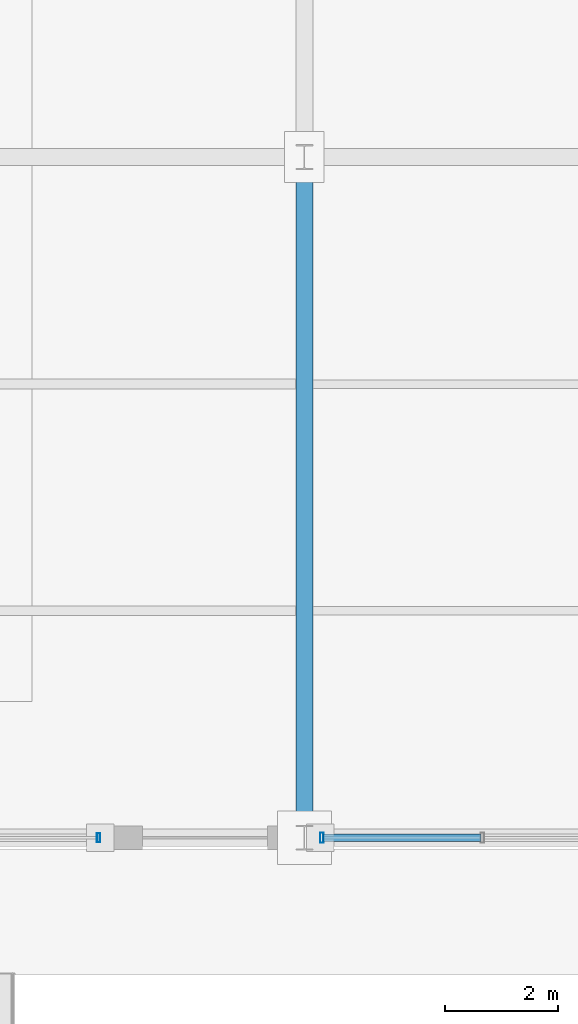
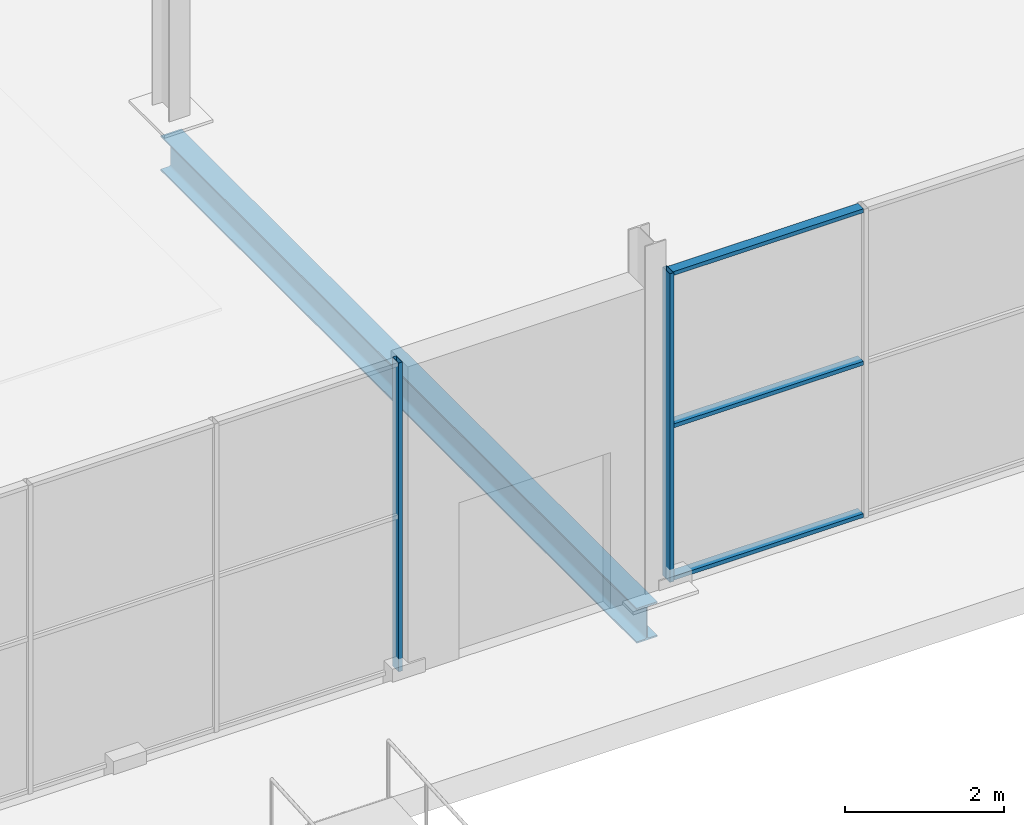
# One storey, part 71 of 196: 5 members, 1 beam, 2 elements without a shape of their own.
"""IFC4 building model written with IfcOpenShell, lengths in metres."""

import ifcopenshell
import ifcopenshell.guid

model = None  # the IFC model being written
_history = None  # IfcOwnerHistory: only IFC2X3 demands one
_inside = {}  # id of a spatial element -> (the spatial element, [elements in it])
_under = {}  # id of a project, library or spatial element -> (it, [spatial elements below it])
_declared = {}  # id of a project -> (the project, [libraries it declares])
_typed = {}  # id of a type object -> (the type object, [elements of that type])
_made_of = {}  # id of a material, layer set ... -> (it, [elements and type objects made of it])


def new_model(schema):
    """Start an empty IFC model of exactly this schema.

    Asked for "IFC4X3", IfcOpenShell would pick the latest addendum, in which some entities
    have other attributes; the version numbers below select the first issue.
    IFC2X3 requires an IfcOwnerHistory on every rooted entity: one is made here for all.
    """
    global model, _history
    if schema == "IFC4X3":
        model = ifcopenshell.file(schema_version=(4, 3, 0, 0))
    else:
        model = ifcopenshell.file(schema=schema)
    _inside.clear()
    _under.clear()
    _declared.clear()
    _typed.clear()
    _made_of.clear()
    _history = None
    if model.schema == "IFC2X3":
        org = make("IfcOrganization", Name="unknown")
        user = make(
            "IfcPersonAndOrganization",
            ThePerson=make("IfcPerson", FamilyName="unknown"),
            TheOrganization=org,
        )
        app = make(
            "IfcApplication",
            ApplicationDeveloper=org,
            Version="unknown",
            ApplicationFullName="unknown",
            ApplicationIdentifier="unknown",
        )
        _history = make(
            "IfcOwnerHistory",
            OwningUser=user,
            OwningApplication=app,
            ChangeAction="ADDED",
            CreationDate=0,
        )
    return model


def make(cls, **values):
    """One entity of the class cls with the attributes given. An attribute that is None is left unset."""
    return model.create_entity(
        cls, **{name: value for name, value in values.items() if value is not None}
    )


def rooted(cls, **values):
    """An entity with a GlobalId (a new one), such as an element, a storey or a relation."""
    return make(cls, GlobalId=ifcopenshell.guid.new(), OwnerHistory=_history, **values)


def si_unit(unit_type, name, prefix=None):
    """IfcSIUnit, for example si_unit("LENGTHUNIT", "METRE", prefix="MILLI")."""
    return make("IfcSIUnit", UnitType=unit_type, Prefix=prefix, Name=name)


def assignment(units):
    """IfcUnitAssignment: the units of a project."""
    return None if units is None else make("IfcUnitAssignment", Units=units)


def point(xyz):
    """IfcCartesianPoint."""
    return None if xyz is None else make("IfcCartesianPoint", Coordinates=xyz)


def direction(xyz):
    """IfcDirection."""
    return None if xyz is None else make("IfcDirection", DirectionRatios=xyz)


def frame(location, z_axis=None, x_axis=None):
    """IfcAxis2Placement3D, a coordinate frame: its origin and axes. An axis left out is left unset."""
    return make(
        "IfcAxis2Placement3D",
        Location=point(location),
        Axis=direction(z_axis),
        RefDirection=direction(x_axis),
    )


def frame_2d(location, x_axis=None):
    """IfcAxis2Placement2D, a coordinate frame in the plane: its origin and x axis."""
    return make(
        "IfcAxis2Placement2D", Location=point(location), RefDirection=direction(x_axis)
    )


def origin():
    """The frame at (0, 0, 0) with its axes left unset."""
    return frame((0.0, 0.0, 0.0))


def origin_2d():
    """The frame at (0, 0) in the plane with its x axis left unset."""
    return frame_2d((0.0, 0.0))


def place(relative_to, where):
    """IfcLocalPlacement: puts the frame where relative to a parent placement (None: the world)."""
    return make(
        "IfcLocalPlacement", PlacementRelTo=relative_to, RelativePlacement=where
    )


def context(
    kind, dimensions, precision=None, world=None, true_north=None, identifier=None
):
    """IfcGeometricRepresentationContext, for example the 3D "Model" context."""
    return make(
        "IfcGeometricRepresentationContext",
        ContextIdentifier=identifier,
        ContextType=kind,
        CoordinateSpaceDimension=dimensions,
        Precision=precision,
        WorldCoordinateSystem=world,
        TrueNorth=true_north,
    )


def subcontext(parent, identifier, kind, view, scale=None):
    """IfcGeometricRepresentationSubContext, for example "Body" below "Model"."""
    return make(
        "IfcGeometricRepresentationSubContext",
        ContextIdentifier=identifier,
        ContextType=kind,
        ParentContext=parent,
        TargetScale=scale,
        TargetView=view,
    )


def project(units=None, contexts=None):
    """IfcProject with its units and contexts."""
    return rooted(
        "IfcProject",
        Name="project",
        RepresentationContexts=contexts,
        UnitsInContext=assignment(units),
    )


def spatial(cls, under=None, at=None, **own):
    """A site, building, storey or space (cls), placed at a placement, below another one or the project."""
    s = rooted(cls, ObjectPlacement=at, **own)
    if under is not None:
        _under.setdefault(under.id(), (under, []))[1].append(s)
    return s


def profile(cls, at=None, kind="AREA", **sizes):
    """A parametric profile (cls). Its sizes go by their IFC names, for example OverallWidth=200.0."""
    return make(cls, ProfileType=kind, Position=at, **sizes)


def hollow_rectangle(**sizes):
    """IfcRectangleHollowProfileDef."""
    return profile("IfcRectangleHollowProfileDef", **sizes)


def i_section(**sizes):
    """IfcIShapeProfileDef."""
    return profile("IfcIShapeProfileDef", **sizes)


def extrude(swept, where, along, depth):
    """IfcExtrudedAreaSolid: the profile swept, set in the frame where, extruded along a direction by depth."""
    return make(
        "IfcExtrudedAreaSolid",
        SweptArea=swept,
        Position=where,
        ExtrudedDirection=direction(along),
        Depth=depth,
    )


def shape(context_of_items, identifier, shape_type, items):
    """IfcShapeRepresentation: the items that make up one representation, for example the "Body"."""
    return make(
        "IfcShapeRepresentation",
        ContextOfItems=context_of_items,
        RepresentationIdentifier=identifier,
        RepresentationType=shape_type,
        Items=items,
    )


def material(Name=None, Category=None):
    """IfcMaterial."""
    return make("IfcMaterial", Name=Name, Category=Category)


def material_profile(
    of_material, cross_section, Name=None, Category=None, Priority=None
):
    """IfcMaterialProfile: a cross section and its material."""
    return make(
        "IfcMaterialProfile",
        Name=Name,
        Material=of_material,
        Profile=cross_section,
        Priority=Priority,
        Category=Category,
    )


def profile_set(profiles, Name=None, composite=None):
    """IfcMaterialProfileSet."""
    return make(
        "IfcMaterialProfileSet",
        Name=Name,
        MaterialProfiles=profiles,
        CompositeProfile=composite,
    )


def made_of(thing, what):
    """Note that an element or type object is made of a material, layer set ...; save() writes the relation."""
    if what is not None:
        _made_of.setdefault(what.id(), (what, []))[1].append(thing)
    return thing


def type_object(cls, material=None, **own):
    """A type object (cls), such as IfcWallType, which elements share."""
    return made_of(rooted(cls, **own), material)


def element(
    cls,
    number,
    at=None,
    inside=None,
    cuts=None,
    type_object=None,
    material=None,
    context=None,
    identifier="Body",
    shape_type=None,
    held_by="IfcProductDefinitionShape",
    body=None,
    shapes=None,
    **own,
):
    """One element of the class cls, such as IfcWall. Its Tag is "e" and its number.

    at: its placement. inside: the storey or other place that contains it. cuts: it is an
    opening in that element (IfcRelVoidsElement). A single representation is given by context,
    identifier, shape_type and body (its items); several are given by shapes. held_by: the class
    of the entity that holds the representations. save() writes the other relations.
    """
    e = rooted(cls, Tag="e%d" % number, ObjectPlacement=at, **own)
    if body is not None:
        shapes = [shape(context, identifier, shape_type, body)]
    if shapes is not None:
        e.Representation = make(held_by, Representations=shapes)
    if inside is not None:
        _inside.setdefault(inside.id(), (inside, []))[1].append(e)
    if cuts is not None:
        rooted(
            "IfcRelVoidsElement", RelatingBuildingElement=cuts, RelatedOpeningElement=e
        )
    if type_object is not None:
        _typed.setdefault(type_object.id(), (type_object, []))[1].append(e)
    return made_of(e, material)


def aggregate(whole, parts):
    """IfcRelAggregates: a whole, such as a stair, and the parts it consists of."""
    return rooted("IfcRelAggregates", RelatingObject=whole, RelatedObjects=parts)


def save(model, path):
    """Write the relations noted so far, then the file.

    IfcRelAggregates (storeys below a building ...), IfcRelContainedInSpatialStructure (elements
    in a storey), IfcRelDefinesByType, IfcRelAssociatesMaterial and IfcRelDeclares: one each for
    every whole, place, type object, material and project.
    """
    for whole, parts in _under.values():
        aggregate(whole, parts)
    for where, things in _inside.values():
        rooted(
            "IfcRelContainedInSpatialStructure",
            RelatedElements=things,
            RelatingStructure=where,
        )
    for kind, things in _typed.values():
        rooted("IfcRelDefinesByType", RelatedObjects=things, RelatingType=kind)
    for what, things in _made_of.values():
        rooted("IfcRelAssociatesMaterial", RelatedObjects=things, RelatingMaterial=what)
    for by, libraries in _declared.values():
        rooted("IfcRelDeclares", RelatingContext=by, RelatedDefinitions=libraries)
    model.write(path)


model = new_model("IFC4")

# Units and contexts
model_context = context("Model", 3, precision=1e-05, world=origin(), true_north=direction((0.0, 1.0)))
body_context = subcontext(model_context, "Body", "Model", "MODEL_VIEW")
ifc_project = project(units=[si_unit("LENGTHUNIT", "METRE"), si_unit("AREAUNIT", "SQUARE_METRE"), si_unit("VOLUMEUNIT", "CUBIC_METRE"), si_unit("PLANEANGLEUNIT", "RADIAN"), si_unit("MASSUNIT", "GRAM", prefix="KILO")], contexts=[model_context])

# Site, building, storey
site_placement = place(None, origin())
site = spatial("IfcSite", under=ifc_project, at=site_placement, CompositionType="ELEMENT")
building_placement = place(site_placement, origin())
building = spatial("IfcBuilding", under=site, at=building_placement, Name="Merenkruunu Market Hall", CompositionType="ELEMENT")
storey_placement = place(building_placement, origin())
storey = spatial("IfcBuildingStorey", under=building, at=storey_placement, Name="L00", CompositionType="ELEMENT", Elevation=0.0)

# Curtain wall, member
ifc_material_1 = material(Name="Powder-coated aluminium", Category="aluminium")
curtain_wall_type_1 = type_object("IfcCurtainWallType", Name="Glazed Curtain Wall CW06", PredefinedType="USERDEFINED", material=ifc_material_1)
curtain_wall_1_placement = place(storey_placement, origin())
curtain_wall_1 = element("IfcCurtainWall", 1, at=curtain_wall_1_placement, inside=storey, type_object=curtain_wall_type_1, Name="CW-L00-CWM01-190", ObjectType="GLAZED_FACADE", PredefinedType="USERDEFINED")
ifc_material_profile_1 = material_profile(ifc_material_1, hollow_rectangle(XDim=0.06005859375, YDim=0.159912109375, WallThickness=0.00390625, at=origin_2d()), Name="ALU 60x160x4")
ifc_profile_set_1 = profile_set([ifc_material_profile_1], Name="Powder-coated aluminium")
member_type_1 = type_object("IfcMemberType", Name="Curtain Wall Mullion CWM01", PredefinedType="MULLION", material=ifc_profile_set_1)
member_1_placement = place(storey_placement, frame((121.169921875, 15.60009765625, 0.0), z_axis=(0.0, 0.0, 1.0), x_axis=(-1.0, 0.0, 0.0)))
member_1 = element("IfcMember", 2, at=member_1_placement, type_object=member_type_1, Name="CW06 mullion 1", PredefinedType="MULLION", context=body_context, shape_type="SweptSolid", body=[
    extrude(hollow_rectangle(XDim=0.06005859375, YDim=0.159912109375, WallThickness=0.00390625, at=origin_2d()), origin(), (0.0, 0.0, 1.0), 4.75),
])
aggregate(curtain_wall_1, [member_1])

# Curtain wall, members
curtain_wall_type_2 = type_object("IfcCurtainWallType", Name="Glazed Curtain Wall CW04", PredefinedType="USERDEFINED", material=ifc_material_1)
curtain_wall_2_placement = place(storey_placement, origin())
curtain_wall_2 = element("IfcCurtainWall", 3, at=curtain_wall_2_placement, inside=storey, type_object=curtain_wall_type_2, Name="CW-L00-CWM02-194", ObjectType="GLAZED_FACADE", PredefinedType="USERDEFINED")
ifc_material_profile_2 = material_profile(ifc_material_1, hollow_rectangle(XDim=0.06005859375, YDim=0.179931640625, WallThickness=0.00390625, at=origin_2d()), Name="ALU 60x180x4")
ifc_profile_set_2 = profile_set([ifc_material_profile_2], Name="Powder-coated aluminium")
member_type_2 = type_object("IfcMemberType", Name="Curtain Wall Mullion CWM02", PredefinedType="MULLION", material=ifc_profile_set_2)
member_2_placement = place(storey_placement, frame((125.110107421875, 15.60009765625, 0.0), z_axis=(0.0, 0.0, 1.0), x_axis=(-1.0, 0.0, 0.0)))
member_2 = element("IfcMember", 4, at=member_2_placement, type_object=member_type_2, Name="CW04 mullion 5", PredefinedType="MULLION", context=body_context, shape_type="SweptSolid", body=[
    extrude(hollow_rectangle(XDim=0.06005859375, YDim=0.179931640625, WallThickness=0.00390625, at=origin_2d()), origin(), (0.0, 0.0, 1.0), 4.75),
])
ifc_material_profile_3 = material_profile(ifc_material_1, hollow_rectangle(XDim=0.06005859375, YDim=0.139892578125, WallThickness=0.00390625, at=origin_2d()), Name="ALU 60x140x4")
ifc_profile_set_3 = profile_set([ifc_material_profile_3], Name="Powder-coated aluminium")
member_type_3 = type_object("IfcMemberType", Name="Curtain Wall Transom CWT02", PredefinedType="USERDEFINED", material=ifc_profile_set_3)
member_3_placement = place(storey_placement, frame((127.909912109375, 15.60009765625, 0.030029296875), z_axis=(-1.0, 0.0, 0.0), x_axis=(0.0, 0.0, 1.0)))
member_3 = element("IfcMember", 5, at=member_3_placement, type_object=member_type_3, Name="CW04 transom 4.1", ObjectType="TRANSOM", PredefinedType="USERDEFINED", context=body_context, shape_type="SweptSolid", body=[
    extrude(hollow_rectangle(XDim=0.06005859375, YDim=0.139892578125, WallThickness=0.00390625, at=origin_2d()), origin(), (0.0, 0.0, 1.0), 2.77001953125),
])
member_4_placement = place(storey_placement, frame((127.909912109375, 15.60009765625, 2.375), z_axis=(-1.0, 0.0, 0.0), x_axis=(0.0, 0.0, 1.0)))
member_4 = element("IfcMember", 6, at=member_4_placement, type_object=member_type_3, Name="CW04 transom 4.2", ObjectType="TRANSOM", PredefinedType="USERDEFINED", context=body_context, shape_type="SweptSolid", body=[
    extrude(hollow_rectangle(XDim=0.06005859375, YDim=0.139892578125, WallThickness=0.00390625, at=origin_2d()), origin(), (0.0, 0.0, 1.0), 2.77001953125),
])
member_5_placement = place(storey_placement, frame((127.909912109375, 15.60009765625, 4.719970703125), z_axis=(-1.0, 0.0, 0.0), x_axis=(0.0, 0.0, 1.0)))
member_5 = element("IfcMember", 7, at=member_5_placement, type_object=member_type_3, Name="CW04 transom 4.3", ObjectType="TRANSOM", PredefinedType="USERDEFINED", context=body_context, shape_type="SweptSolid", body=[
    extrude(hollow_rectangle(XDim=0.06005859375, YDim=0.139892578125, WallThickness=0.00390625, at=origin_2d()), origin(), (0.0, 0.0, 1.0), 2.77001953125),
])
aggregate(curtain_wall_2, [member_2, member_3, member_4, member_5])

# Beam
ifc_material_2 = material(Name="Steel S355J2", Category="steel")
ifc_material_profile_4 = material_profile(ifc_material_2, i_section(OverallWidth=0.300048828125, OverallDepth=0.5400390625, WebThickness=0.012451171875, FlangeThickness=0.02392578125, FilletRadius=0.027099609375, at=origin_2d()), Name="HEA 550")
ifc_profile_set_4 = profile_set([ifc_material_profile_4], Name="Steel S355J2")
beam_type = type_object("IfcBeamType", Name="Primary Floor Girder B06", PredefinedType="BEAM", material=ifc_profile_set_4)
beam_placement = place(storey_placement, frame((124.800048828125, 15.60009765625, -0.570068359375), z_axis=(0.0, 1.0, 0.0), x_axis=(-1.0, 0.0, 0.0)))
element("IfcBeam", 8, at=beam_placement, inside=storey, type_object=beam_type, Name="BM-L00-B06-0227", PredefinedType="BEAM", context=body_context, shape_type="SweptSolid", body=[
    extrude(i_section(OverallWidth=0.300048828125, OverallDepth=0.5400390625, WebThickness=0.012451171875, FlangeThickness=0.02392578125, FilletRadius=0.027099609375, at=origin_2d()), origin(), (0.0, 0.0, 1.0), 12.0),
])

save(model, "model.ifc")
